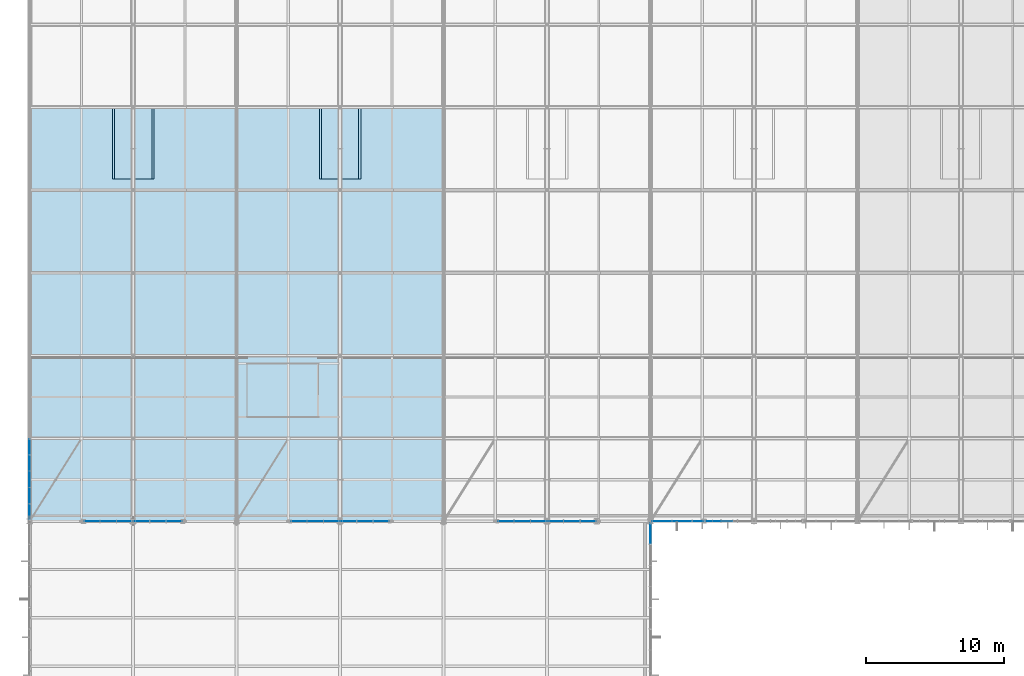
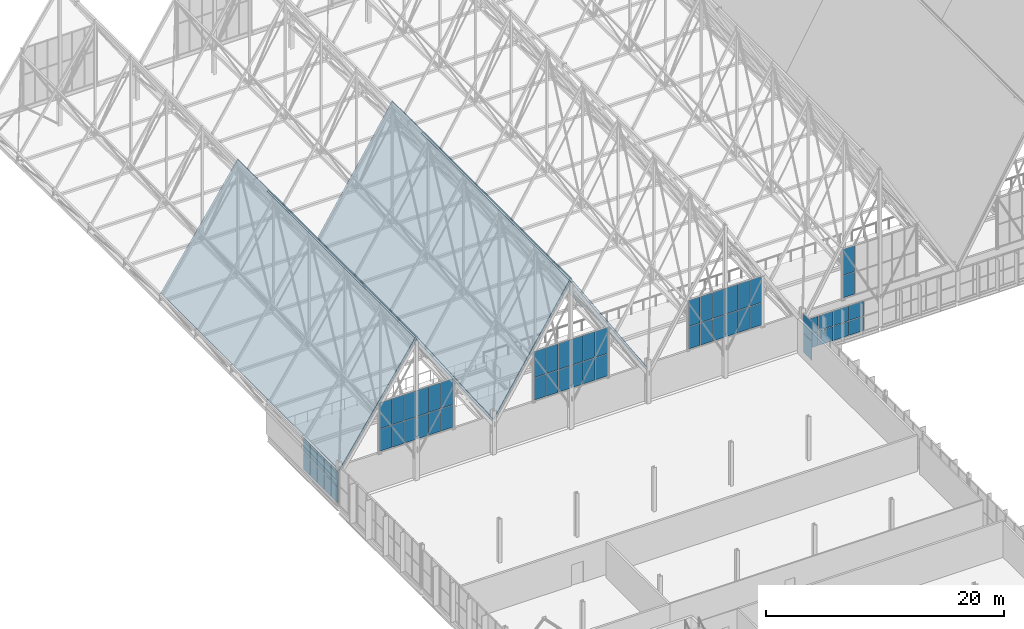
# One storey, part 273 of 324: 62 plates, 4 slabs, 7 elements without a shape of their own.
"""IFC4 building model written with IfcOpenShell, lengths in metres."""

from ifc_helpers import new_model, si_unit, direction, frame, origin, origin_2d, place, context, subcontext, project, spatial, polyline, rectangle, outline, extrude, material, layer, layer_set, type_object, element, aggregate, save


model = new_model("IFC4")

# Units and contexts
model_context = context("Model", 3, precision=1e-05, world=origin(), true_north=direction((0.0, 1.0)))
body_context = subcontext(model_context, "Body", "Model", "MODEL_VIEW")
ifc_project = project(units=[si_unit("LENGTHUNIT", "METRE"), si_unit("AREAUNIT", "SQUARE_METRE"), si_unit("VOLUMEUNIT", "CUBIC_METRE"), si_unit("PLANEANGLEUNIT", "RADIAN"), si_unit("MASSUNIT", "GRAM", prefix="KILO")], contexts=[model_context])

# Site, building, storey
site_placement = place(None, origin())
site = spatial("IfcSite", under=ifc_project, at=site_placement, CompositionType="ELEMENT")
building_placement = place(site_placement, origin())
building = spatial("IfcBuilding", under=site, at=building_placement, Name="Solvenia Promenade Tram Depot", CompositionType="ELEMENT")
storey_placement = place(building_placement, frame((0.0, 0.0, 4.5)))
storey = spatial("IfcBuildingStorey", under=building, at=storey_placement, Name="L01", CompositionType="ELEMENT", Elevation=4.5)

# Curtain wall, plates
ifc_material_1 = material(Name="Anodized aluminium AW-6063 T6", Category="aluminium")
ifc_layer_1 = layer(ifc_material_1, 0.159912109375, Name="Anodized aluminium AW-6063 T6", Category="aluminium")
ifc_layer_set_1 = layer_set([ifc_layer_1], Name="Anodized aluminium AW-6063 T6")
curtain_wall_type_1 = type_object("IfcCurtainWallType", Name="CW-Channel-1500", PredefinedType="NOTDEFINED", material=ifc_layer_set_1)
curtain_wall_1_placement = place(storey_placement, origin())
curtain_wall_1 = element("IfcCurtainWall", 1, at=curtain_wall_1_placement, inside=storey, type_object=curtain_wall_type_1, Name="Curtain Wall CW-V1S1-01", PredefinedType="NOTDEFINED")
ifc_material_2 = material(Name="Low-iron translucent U-profile channel glass", Category="glass")
ifc_layer_2 = layer(ifc_material_2, 0.028076171875, Name="Low-iron translucent U-profile channel glass", Category="glass")
ifc_layer_set_2 = layer_set([ifc_layer_2], Name="Low-iron translucent U-profile channel glass")
plate_type_1 = type_object("IfcPlateType", Name="CWP-Panel-1", PredefinedType="CURTAIN_PANEL", material=ifc_layer_set_2)
plate_1_placement = place(storey_placement, frame((45.826416015625, 66.0, 0.06494140625), z_axis=(0.0, 0.0, 1.0), x_axis=(1.0, 0.0, 0.0)))
plate_1 = element("IfcPlate", 2, at=plate_1_placement, type_object=plate_type_1, Name="CW-2 panel 1.1", PredefinedType="CURTAIN_PANEL", context=body_context, shape_type="SweptSolid", body=[
    extrude(rectangle(XDim=1.39306640625, YDim=0.028076171875, at=origin_2d()), origin(), (0.0, 0.0, 1.0), 1.452392578125),
])
plate_2_placement = place(storey_placement, frame((45.826416015625, 66.0, 1.58251953125), z_axis=(0.0, 0.0, 1.0), x_axis=(1.0, 0.0, 0.0)))
plate_2 = element("IfcPlate", 3, at=plate_2_placement, type_object=plate_type_1, Name="CW-2 panel 1.2", PredefinedType="CURTAIN_PANEL", context=body_context, shape_type="SweptSolid", body=[
    extrude(rectangle(XDim=1.39306640625, YDim=0.028076171875, at=origin_2d()), origin(), (0.0, 0.0, 1.0), 1.50244140625),
])
plate_3_placement = place(storey_placement, frame((47.281982421875, 66.0, 0.06494140625), z_axis=(0.0, 0.0, 1.0), x_axis=(1.0, 0.0, 0.0)))
plate_3 = element("IfcPlate", 4, at=plate_3_placement, type_object=plate_type_1, Name="CW-2 panel 2.1", PredefinedType="CURTAIN_PANEL", context=body_context, shape_type="SweptSolid", body=[
    extrude(rectangle(XDim=1.41796875, YDim=0.028076171875, at=origin_2d()), origin(), (0.0, 0.0, 1.0), 1.452392578125),
])
plate_4_placement = place(storey_placement, frame((47.281982421875, 66.0, 1.58251953125), z_axis=(0.0, 0.0, 1.0), x_axis=(1.0, 0.0, 0.0)))
plate_4 = element("IfcPlate", 5, at=plate_4_placement, type_object=plate_type_1, Name="CW-2 panel 2.2", PredefinedType="CURTAIN_PANEL", context=body_context, shape_type="SweptSolid", body=[
    extrude(rectangle(XDim=1.41796875, YDim=0.028076171875, at=origin_2d()), origin(), (0.0, 0.0, 1.0), 1.50244140625),
])
plate_5_placement = place(storey_placement, frame((48.75, 66.0, 0.06494140625), z_axis=(0.0, 0.0, 1.0), x_axis=(1.0, 0.0, 0.0)))
plate_5 = element("IfcPlate", 6, at=plate_5_placement, type_object=plate_type_1, Name="CW-2 panel 3.1", PredefinedType="CURTAIN_PANEL", context=body_context, shape_type="SweptSolid", body=[
    extrude(rectangle(XDim=1.41796875, YDim=0.028076171875, at=origin_2d()), origin(), (0.0, 0.0, 1.0), 1.452392578125),
])
plate_6_placement = place(storey_placement, frame((48.75, 66.0, 1.58251953125), z_axis=(0.0, 0.0, 1.0), x_axis=(1.0, 0.0, 0.0)))
plate_6 = element("IfcPlate", 7, at=plate_6_placement, type_object=plate_type_1, Name="CW-2 panel 3.2", PredefinedType="CURTAIN_PANEL", context=body_context, shape_type="SweptSolid", body=[
    extrude(rectangle(XDim=1.41796875, YDim=0.028076171875, at=origin_2d()), origin(), (0.0, 0.0, 1.0), 1.50244140625),
])
plate_7_placement = place(storey_placement, frame((50.218017578125, 66.0, 0.06494140625), z_axis=(0.0, 0.0, 1.0), x_axis=(1.0, 0.0, 0.0)))
plate_7 = element("IfcPlate", 8, at=plate_7_placement, type_object=plate_type_1, Name="CW-2 panel 4.1", PredefinedType="CURTAIN_PANEL", context=body_context, shape_type="SweptSolid", body=[
    extrude(rectangle(XDim=1.41796875, YDim=0.028076171875, at=origin_2d()), origin(), (0.0, 0.0, 1.0), 1.452392578125),
])
plate_8_placement = place(storey_placement, frame((50.218017578125, 66.0, 1.58251953125), z_axis=(0.0, 0.0, 1.0), x_axis=(1.0, 0.0, 0.0)))
plate_8 = element("IfcPlate", 9, at=plate_8_placement, type_object=plate_type_1, Name="CW-2 panel 4.2", PredefinedType="CURTAIN_PANEL", context=body_context, shape_type="SweptSolid", body=[
    extrude(rectangle(XDim=1.41796875, YDim=0.028076171875, at=origin_2d()), origin(), (0.0, 0.0, 1.0), 1.50244140625),
])
aggregate(curtain_wall_1, [plate_1, plate_2, plate_3, plate_4, plate_5, plate_6, plate_7, plate_8])

ifc_layer_3 = layer(ifc_material_1, 0.159912109375, Name="Anodized aluminium AW-6063 T6", Category="aluminium")
ifc_layer_set_3 = layer_set([ifc_layer_3], Name="Anodized aluminium AW-6063 T6")
curtain_wall_type_2 = type_object("IfcCurtainWallType", Name="CW-Channel-1200", PredefinedType="NOTDEFINED", material=ifc_layer_set_3)
curtain_wall_2_placement = place(storey_placement, origin())
curtain_wall_2 = element("IfcCurtainWall", 10, at=curtain_wall_2_placement, inside=storey, type_object=curtain_wall_type_2, Name="Curtain Wall CW-V1W-01", PredefinedType="NOTDEFINED")
plate_9_placement = place(storey_placement, frame((0.0, 66.68505859375, 0.06005859375), z_axis=(0.0, 0.0, 1.0), x_axis=(0.0, 1.0, 0.0)))
plate_9 = element("IfcPlate", 11, at=plate_9_placement, type_object=plate_type_1, Name="CW-1 panel 1.1", PredefinedType="CURTAIN_PANEL", context=body_context, shape_type="SweptSolid", body=[
    extrude(rectangle(XDim=1.10595703125, YDim=0.028076171875, at=origin_2d()), origin(), (0.0, 0.0, 1.0), 1.610107421875),
])
plate_10_placement = place(storey_placement, frame((0.0, 66.68505859375, 1.72998046875), z_axis=(0.0, 0.0, 1.0), x_axis=(0.0, 1.0, 0.0)))
plate_10 = element("IfcPlate", 12, at=plate_10_placement, type_object=plate_type_1, Name="CW-1 panel 1.2", PredefinedType="CURTAIN_PANEL", context=body_context, shape_type="SweptSolid", body=[
    extrude(rectangle(XDim=1.10595703125, YDim=0.028076171875, at=origin_2d()), origin(), (0.0, 0.0, 1.0), 1.610107421875),
])
plate_11_placement = place(storey_placement, frame((0.0, 67.85595703125, 0.06005859375), z_axis=(0.0, 0.0, 1.0), x_axis=(0.0, 1.0, 0.0)))
plate_11 = element("IfcPlate", 13, at=plate_11_placement, type_object=plate_type_1, Name="CW-1 panel 2.1", PredefinedType="CURTAIN_PANEL", context=body_context, shape_type="SweptSolid", body=[
    extrude(rectangle(XDim=1.132080078125, YDim=0.028076171875, at=origin_2d()), origin(), (0.0, 0.0, 1.0), 1.610107421875),
])
plate_12_placement = place(storey_placement, frame((0.0, 67.85595703125, 1.72998046875), z_axis=(0.0, 0.0, 1.0), x_axis=(0.0, 1.0, 0.0)))
plate_12 = element("IfcPlate", 14, at=plate_12_placement, type_object=plate_type_1, Name="CW-1 panel 2.2", PredefinedType="CURTAIN_PANEL", context=body_context, shape_type="SweptSolid", body=[
    extrude(rectangle(XDim=1.132080078125, YDim=0.028076171875, at=origin_2d()), origin(), (0.0, 0.0, 1.0), 1.610107421875),
])
plate_13_placement = place(storey_placement, frame((0.0, 69.0400390625, 0.06005859375), z_axis=(0.0, 0.0, 1.0), x_axis=(0.0, 1.0, 0.0)))
plate_13 = element("IfcPlate", 15, at=plate_13_placement, type_object=plate_type_1, Name="CW-1 panel 3.1", PredefinedType="CURTAIN_PANEL", context=body_context, shape_type="SweptSolid", body=[
    extrude(rectangle(XDim=1.132080078125, YDim=0.028076171875, at=origin_2d()), origin(), (0.0, 0.0, 1.0), 1.610107421875),
])
plate_14_placement = place(storey_placement, frame((0.0, 69.0400390625, 1.72998046875), z_axis=(0.0, 0.0, 1.0), x_axis=(0.0, 1.0, 0.0)))
plate_14 = element("IfcPlate", 16, at=plate_14_placement, type_object=plate_type_1, Name="CW-1 panel 3.2", PredefinedType="CURTAIN_PANEL", context=body_context, shape_type="SweptSolid", body=[
    extrude(rectangle(XDim=1.132080078125, YDim=0.028076171875, at=origin_2d()), origin(), (0.0, 0.0, 1.0), 1.610107421875),
])
plate_15_placement = place(storey_placement, frame((0.0, 70.22412109375, 0.06005859375), z_axis=(0.0, 0.0, 1.0), x_axis=(0.0, 1.0, 0.0)))
plate_15 = element("IfcPlate", 17, at=plate_15_placement, type_object=plate_type_1, Name="CW-1 panel 4.1", PredefinedType="CURTAIN_PANEL", context=body_context, shape_type="SweptSolid", body=[
    extrude(rectangle(XDim=1.132080078125, YDim=0.028076171875, at=origin_2d()), origin(), (0.0, 0.0, 1.0), 1.610107421875),
])
plate_16_placement = place(storey_placement, frame((0.0, 70.22412109375, 1.72998046875), z_axis=(0.0, 0.0, 1.0), x_axis=(0.0, 1.0, 0.0)))
plate_16 = element("IfcPlate", 18, at=plate_16_placement, type_object=plate_type_1, Name="CW-1 panel 4.2", PredefinedType="CURTAIN_PANEL", context=body_context, shape_type="SweptSolid", body=[
    extrude(rectangle(XDim=1.132080078125, YDim=0.028076171875, at=origin_2d()), origin(), (0.0, 0.0, 1.0), 1.610107421875),
])
plate_17_placement = place(storey_placement, frame((0.0, 71.39501953125, 0.06005859375), z_axis=(0.0, 0.0, 1.0), x_axis=(0.0, 1.0, 0.0)))
plate_17 = element("IfcPlate", 19, at=plate_17_placement, type_object=plate_type_1, Name="CW-1 panel 5.1", PredefinedType="CURTAIN_PANEL", context=body_context, shape_type="SweptSolid", body=[
    extrude(rectangle(XDim=1.10595703125, YDim=0.028076171875, at=origin_2d()), origin(), (0.0, 0.0, 1.0), 1.610107421875),
])
plate_18_placement = place(storey_placement, frame((0.0, 71.39501953125, 1.72998046875), z_axis=(0.0, 0.0, 1.0), x_axis=(0.0, 1.0, 0.0)))
plate_18 = element("IfcPlate", 20, at=plate_18_placement, type_object=plate_type_1, Name="CW-1 panel 5.2", PredefinedType="CURTAIN_PANEL", context=body_context, shape_type="SweptSolid", body=[
    extrude(rectangle(XDim=1.10595703125, YDim=0.028076171875, at=origin_2d()), origin(), (0.0, 0.0, 1.0), 1.610107421875),
])
aggregate(curtain_wall_2, [plate_9, plate_10, plate_11, plate_12, plate_13, plate_14, plate_15, plate_16, plate_17, plate_18])

ifc_layer_4 = layer(ifc_material_1, 0.14990234375, Name="Anodized aluminium AW-6063 T6", Category="aluminium")
ifc_layer_set_4 = layer_set([ifc_layer_4], Name="Anodized aluminium AW-6063 T6")
curtain_wall_type_3 = type_object("IfcCurtainWallType", Name="CW-Gable-1200", PredefinedType="NOTDEFINED", material=ifc_layer_set_4)
curtain_wall_3_placement = place(storey_placement, origin())
curtain_wall_3 = element("IfcCurtainWall", 21, at=curtain_wall_3_placement, inside=storey, type_object=curtain_wall_type_3, Name="South Zigzag Gable 01 Peak Glazing", PredefinedType="NOTDEFINED")
plate_19_placement = place(storey_placement, frame((4.511962890625, 66.0, 4.10791015625), z_axis=(0.0, 0.0, 1.0), x_axis=(1.0, 0.0, 0.0)))
plate_19 = element("IfcPlate", 22, at=plate_19_placement, type_object=plate_type_1, Name="CW-3 panel 1.1", PredefinedType="CURTAIN_PANEL", context=body_context, shape_type="SweptSolid", body=[
    extrude(rectangle(XDim=1.1279296875, YDim=0.028076171875, at=origin_2d()), origin(), (0.0, 0.0, 1.0), 2.262939453125),
])
plate_20_placement = place(storey_placement, frame((4.511962890625, 66.0, 6.428955078125), z_axis=(0.0, 0.0, 1.0), x_axis=(1.0, 0.0, 0.0)))
plate_20 = element("IfcPlate", 23, at=plate_20_placement, type_object=plate_type_1, Name="CW-3 panel 1.2", PredefinedType="CURTAIN_PANEL", context=body_context, shape_type="SweptSolid", body=[
    extrude(rectangle(XDim=1.1279296875, YDim=0.028076171875, at=origin_2d()), origin(), (0.0, 0.0, 1.0), 2.6630859375),
])
plate_21_placement = place(storey_placement, frame((5.699951171875, 66.0, 4.10791015625), z_axis=(0.0, 0.0, 1.0), x_axis=(1.0, 0.0, 0.0)))
plate_21 = element("IfcPlate", 24, at=plate_21_placement, type_object=plate_type_1, Name="CW-3 panel 2.1", PredefinedType="CURTAIN_PANEL", context=body_context, shape_type="SweptSolid", body=[
    extrude(rectangle(XDim=1.152099609375, YDim=0.028076171875, at=origin_2d()), origin(), (0.0, 0.0, 1.0), 2.262939453125),
])
plate_22_placement = place(storey_placement, frame((5.699951171875, 66.0, 6.428955078125), z_axis=(0.0, 0.0, 1.0), x_axis=(1.0, 0.0, 0.0)))
plate_22 = element("IfcPlate", 25, at=plate_22_placement, type_object=plate_type_1, Name="CW-3 panel 2.2", PredefinedType="CURTAIN_PANEL", context=body_context, shape_type="SweptSolid", body=[
    extrude(rectangle(XDim=1.152099609375, YDim=0.028076171875, at=origin_2d()), origin(), (0.0, 0.0, 1.0), 2.6630859375),
])
plate_23_placement = place(storey_placement, frame((6.89990234375, 66.0, 4.10791015625), z_axis=(0.0, 0.0, 1.0), x_axis=(1.0, 0.0, 0.0)))
plate_23 = element("IfcPlate", 26, at=plate_23_placement, type_object=plate_type_1, Name="CW-3 panel 3.1", PredefinedType="CURTAIN_PANEL", context=body_context, shape_type="SweptSolid", body=[
    extrude(rectangle(XDim=1.152099609375, YDim=0.028076171875, at=origin_2d()), origin(), (0.0, 0.0, 1.0), 2.262939453125),
])
plate_24_placement = place(storey_placement, frame((6.89990234375, 66.0, 6.428955078125), z_axis=(0.0, 0.0, 1.0), x_axis=(1.0, 0.0, 0.0)))
plate_24 = element("IfcPlate", 27, at=plate_24_placement, type_object=plate_type_1, Name="CW-3 panel 3.2", PredefinedType="CURTAIN_PANEL", context=body_context, shape_type="SweptSolid", body=[
    extrude(rectangle(XDim=1.152099609375, YDim=0.028076171875, at=origin_2d()), origin(), (0.0, 0.0, 1.0), 2.6630859375),
])
plate_25_placement = place(storey_placement, frame((8.10009765625, 66.0, 4.10791015625), z_axis=(0.0, 0.0, 1.0), x_axis=(1.0, 0.0, 0.0)))
plate_25 = element("IfcPlate", 28, at=plate_25_placement, type_object=plate_type_1, Name="CW-3 panel 4.1", PredefinedType="CURTAIN_PANEL", context=body_context, shape_type="SweptSolid", body=[
    extrude(rectangle(XDim=1.152099609375, YDim=0.028076171875, at=origin_2d()), origin(), (0.0, 0.0, 1.0), 2.262939453125),
])
plate_26_placement = place(storey_placement, frame((8.10009765625, 66.0, 6.428955078125), z_axis=(0.0, 0.0, 1.0), x_axis=(1.0, 0.0, 0.0)))
plate_26 = element("IfcPlate", 29, at=plate_26_placement, type_object=plate_type_1, Name="CW-3 panel 4.2", PredefinedType="CURTAIN_PANEL", context=body_context, shape_type="SweptSolid", body=[
    extrude(rectangle(XDim=1.152099609375, YDim=0.028076171875, at=origin_2d()), origin(), (0.0, 0.0, 1.0), 2.6630859375),
])
plate_27_placement = place(storey_placement, frame((9.300048828125, 66.0, 4.10791015625), z_axis=(0.0, 0.0, 1.0), x_axis=(1.0, 0.0, 0.0)))
plate_27 = element("IfcPlate", 30, at=plate_27_placement, type_object=plate_type_1, Name="CW-3 panel 5.1", PredefinedType="CURTAIN_PANEL", context=body_context, shape_type="SweptSolid", body=[
    extrude(rectangle(XDim=1.152099609375, YDim=0.028076171875, at=origin_2d()), origin(), (0.0, 0.0, 1.0), 2.262939453125),
])
plate_28_placement = place(storey_placement, frame((9.300048828125, 66.0, 6.428955078125), z_axis=(0.0, 0.0, 1.0), x_axis=(1.0, 0.0, 0.0)))
plate_28 = element("IfcPlate", 31, at=plate_28_placement, type_object=plate_type_1, Name="CW-3 panel 5.2", PredefinedType="CURTAIN_PANEL", context=body_context, shape_type="SweptSolid", body=[
    extrude(rectangle(XDim=1.152099609375, YDim=0.028076171875, at=origin_2d()), origin(), (0.0, 0.0, 1.0), 2.6630859375),
])
plate_29_placement = place(storey_placement, frame((10.488037109375, 66.0, 4.10791015625), z_axis=(0.0, 0.0, 1.0), x_axis=(1.0, 0.0, 0.0)))
plate_29 = element("IfcPlate", 32, at=plate_29_placement, type_object=plate_type_1, Name="CW-3 panel 6.1", PredefinedType="CURTAIN_PANEL", context=body_context, shape_type="SweptSolid", body=[
    extrude(rectangle(XDim=1.1279296875, YDim=0.028076171875, at=origin_2d()), origin(), (0.0, 0.0, 1.0), 2.262939453125),
])
plate_30_placement = place(storey_placement, frame((10.488037109375, 66.0, 6.428955078125), z_axis=(0.0, 0.0, 1.0), x_axis=(1.0, 0.0, 0.0)))
plate_30 = element("IfcPlate", 33, at=plate_30_placement, type_object=plate_type_1, Name="CW-3 panel 6.2", PredefinedType="CURTAIN_PANEL", context=body_context, shape_type="SweptSolid", body=[
    extrude(rectangle(XDim=1.1279296875, YDim=0.028076171875, at=origin_2d()), origin(), (0.0, 0.0, 1.0), 2.6630859375),
])
aggregate(curtain_wall_3, [plate_19, plate_20, plate_21, plate_22, plate_23, plate_24, plate_25, plate_26, plate_27, plate_28, plate_29, plate_30])

curtain_wall_4_placement = place(storey_placement, origin())
curtain_wall_4 = element("IfcCurtainWall", 34, at=curtain_wall_4_placement, inside=storey, type_object=curtain_wall_type_3, Name="South Zigzag Gable 02 Peak Glazing", PredefinedType="NOTDEFINED")
plate_31_placement = place(storey_placement, frame((19.511962890625, 66.0, 4.10791015625), z_axis=(0.0, 0.0, 1.0), x_axis=(1.0, 0.0, 0.0)))
plate_31 = element("IfcPlate", 35, at=plate_31_placement, type_object=plate_type_1, Name="CW-3 panel 1.1", PredefinedType="CURTAIN_PANEL", context=body_context, shape_type="SweptSolid", body=[
    extrude(rectangle(XDim=1.1279296875, YDim=0.028076171875, at=origin_2d()), origin(), (0.0, 0.0, 1.0), 2.262939453125),
])
plate_32_placement = place(storey_placement, frame((19.511962890625, 66.0, 6.428955078125), z_axis=(0.0, 0.0, 1.0), x_axis=(1.0, 0.0, 0.0)))
plate_32 = element("IfcPlate", 36, at=plate_32_placement, type_object=plate_type_1, Name="CW-3 panel 1.2", PredefinedType="CURTAIN_PANEL", context=body_context, shape_type="SweptSolid", body=[
    extrude(rectangle(XDim=1.1279296875, YDim=0.028076171875, at=origin_2d()), origin(), (0.0, 0.0, 1.0), 2.6630859375),
])
plate_33_placement = place(storey_placement, frame((20.699951171875, 66.0, 4.10791015625), z_axis=(0.0, 0.0, 1.0), x_axis=(1.0, 0.0, 0.0)))
plate_33 = element("IfcPlate", 37, at=plate_33_placement, type_object=plate_type_1, Name="CW-3 panel 2.1", PredefinedType="CURTAIN_PANEL", context=body_context, shape_type="SweptSolid", body=[
    extrude(rectangle(XDim=1.152099609375, YDim=0.028076171875, at=origin_2d()), origin(), (0.0, 0.0, 1.0), 2.262939453125),
])
plate_34_placement = place(storey_placement, frame((20.699951171875, 66.0, 6.428955078125), z_axis=(0.0, 0.0, 1.0), x_axis=(1.0, 0.0, 0.0)))
plate_34 = element("IfcPlate", 38, at=plate_34_placement, type_object=plate_type_1, Name="CW-3 panel 2.2", PredefinedType="CURTAIN_PANEL", context=body_context, shape_type="SweptSolid", body=[
    extrude(rectangle(XDim=1.152099609375, YDim=0.028076171875, at=origin_2d()), origin(), (0.0, 0.0, 1.0), 2.6630859375),
])
plate_35_placement = place(storey_placement, frame((21.89990234375, 66.0, 4.10791015625), z_axis=(0.0, 0.0, 1.0), x_axis=(1.0, 0.0, 0.0)))
plate_35 = element("IfcPlate", 39, at=plate_35_placement, type_object=plate_type_1, Name="CW-3 panel 3.1", PredefinedType="CURTAIN_PANEL", context=body_context, shape_type="SweptSolid", body=[
    extrude(rectangle(XDim=1.152099609375, YDim=0.028076171875, at=origin_2d()), origin(), (0.0, 0.0, 1.0), 2.262939453125),
])
plate_36_placement = place(storey_placement, frame((21.89990234375, 66.0, 6.428955078125), z_axis=(0.0, 0.0, 1.0), x_axis=(1.0, 0.0, 0.0)))
plate_36 = element("IfcPlate", 40, at=plate_36_placement, type_object=plate_type_1, Name="CW-3 panel 3.2", PredefinedType="CURTAIN_PANEL", context=body_context, shape_type="SweptSolid", body=[
    extrude(rectangle(XDim=1.152099609375, YDim=0.028076171875, at=origin_2d()), origin(), (0.0, 0.0, 1.0), 2.6630859375),
])
plate_37_placement = place(storey_placement, frame((23.10009765625, 66.0, 4.10791015625), z_axis=(0.0, 0.0, 1.0), x_axis=(1.0, 0.0, 0.0)))
plate_37 = element("IfcPlate", 41, at=plate_37_placement, type_object=plate_type_1, Name="CW-3 panel 4.1", PredefinedType="CURTAIN_PANEL", context=body_context, shape_type="SweptSolid", body=[
    extrude(rectangle(XDim=1.152099609375, YDim=0.028076171875, at=origin_2d()), origin(), (0.0, 0.0, 1.0), 2.262939453125),
])
plate_38_placement = place(storey_placement, frame((23.10009765625, 66.0, 6.428955078125), z_axis=(0.0, 0.0, 1.0), x_axis=(1.0, 0.0, 0.0)))
plate_38 = element("IfcPlate", 42, at=plate_38_placement, type_object=plate_type_1, Name="CW-3 panel 4.2", PredefinedType="CURTAIN_PANEL", context=body_context, shape_type="SweptSolid", body=[
    extrude(rectangle(XDim=1.152099609375, YDim=0.028076171875, at=origin_2d()), origin(), (0.0, 0.0, 1.0), 2.6630859375),
])
plate_39_placement = place(storey_placement, frame((24.300048828125, 66.0, 4.10791015625), z_axis=(0.0, 0.0, 1.0), x_axis=(1.0, 0.0, 0.0)))
plate_39 = element("IfcPlate", 43, at=plate_39_placement, type_object=plate_type_1, Name="CW-3 panel 5.1", PredefinedType="CURTAIN_PANEL", context=body_context, shape_type="SweptSolid", body=[
    extrude(rectangle(XDim=1.152099609375, YDim=0.028076171875, at=origin_2d()), origin(), (0.0, 0.0, 1.0), 2.262939453125),
])
plate_40_placement = place(storey_placement, frame((24.300048828125, 66.0, 6.428955078125), z_axis=(0.0, 0.0, 1.0), x_axis=(1.0, 0.0, 0.0)))
plate_40 = element("IfcPlate", 44, at=plate_40_placement, type_object=plate_type_1, Name="CW-3 panel 5.2", PredefinedType="CURTAIN_PANEL", context=body_context, shape_type="SweptSolid", body=[
    extrude(rectangle(XDim=1.152099609375, YDim=0.028076171875, at=origin_2d()), origin(), (0.0, 0.0, 1.0), 2.6630859375),
])
plate_41_placement = place(storey_placement, frame((25.488037109375, 66.0, 4.10791015625), z_axis=(0.0, 0.0, 1.0), x_axis=(1.0, 0.0, 0.0)))
plate_41 = element("IfcPlate", 45, at=plate_41_placement, type_object=plate_type_1, Name="CW-3 panel 6.1", PredefinedType="CURTAIN_PANEL", context=body_context, shape_type="SweptSolid", body=[
    extrude(rectangle(XDim=1.1279296875, YDim=0.028076171875, at=origin_2d()), origin(), (0.0, 0.0, 1.0), 2.262939453125),
])
plate_42_placement = place(storey_placement, frame((25.488037109375, 66.0, 6.428955078125), z_axis=(0.0, 0.0, 1.0), x_axis=(1.0, 0.0, 0.0)))
plate_42 = element("IfcPlate", 46, at=plate_42_placement, type_object=plate_type_1, Name="CW-3 panel 6.2", PredefinedType="CURTAIN_PANEL", context=body_context, shape_type="SweptSolid", body=[
    extrude(rectangle(XDim=1.1279296875, YDim=0.028076171875, at=origin_2d()), origin(), (0.0, 0.0, 1.0), 2.6630859375),
])
aggregate(curtain_wall_4, [plate_31, plate_32, plate_33, plate_34, plate_35, plate_36, plate_37, plate_38, plate_39, plate_40, plate_41, plate_42])

curtain_wall_5_placement = place(storey_placement, origin())
curtain_wall_5 = element("IfcCurtainWall", 47, at=curtain_wall_5_placement, inside=storey, type_object=curtain_wall_type_3, Name="South Zigzag Gable 03 Peak Glazing", PredefinedType="NOTDEFINED")
plate_43_placement = place(storey_placement, frame((34.511962890625, 66.0, 4.10791015625), z_axis=(0.0, 0.0, 1.0), x_axis=(1.0, 0.0, 0.0)))
plate_43 = element("IfcPlate", 48, at=plate_43_placement, type_object=plate_type_1, Name="CW-3 panel 1.1", PredefinedType="CURTAIN_PANEL", context=body_context, shape_type="SweptSolid", body=[
    extrude(rectangle(XDim=1.1279296875, YDim=0.028076171875, at=origin_2d()), origin(), (0.0, 0.0, 1.0), 2.262939453125),
])
plate_44_placement = place(storey_placement, frame((34.511962890625, 66.0, 6.428955078125), z_axis=(0.0, 0.0, 1.0), x_axis=(1.0, 0.0, 0.0)))
plate_44 = element("IfcPlate", 49, at=plate_44_placement, type_object=plate_type_1, Name="CW-3 panel 1.2", PredefinedType="CURTAIN_PANEL", context=body_context, shape_type="SweptSolid", body=[
    extrude(rectangle(XDim=1.1279296875, YDim=0.028076171875, at=origin_2d()), origin(), (0.0, 0.0, 1.0), 2.6630859375),
])
plate_45_placement = place(storey_placement, frame((35.699951171875, 66.0, 4.10791015625), z_axis=(0.0, 0.0, 1.0), x_axis=(1.0, 0.0, 0.0)))
plate_45 = element("IfcPlate", 50, at=plate_45_placement, type_object=plate_type_1, Name="CW-3 panel 2.1", PredefinedType="CURTAIN_PANEL", context=body_context, shape_type="SweptSolid", body=[
    extrude(rectangle(XDim=1.152099609375, YDim=0.028076171875, at=origin_2d()), origin(), (0.0, 0.0, 1.0), 2.262939453125),
])
plate_46_placement = place(storey_placement, frame((35.699951171875, 66.0, 6.428955078125), z_axis=(0.0, 0.0, 1.0), x_axis=(1.0, 0.0, 0.0)))
plate_46 = element("IfcPlate", 51, at=plate_46_placement, type_object=plate_type_1, Name="CW-3 panel 2.2", PredefinedType="CURTAIN_PANEL", context=body_context, shape_type="SweptSolid", body=[
    extrude(rectangle(XDim=1.152099609375, YDim=0.028076171875, at=origin_2d()), origin(), (0.0, 0.0, 1.0), 2.6630859375),
])
plate_47_placement = place(storey_placement, frame((36.89990234375, 66.0, 4.10791015625), z_axis=(0.0, 0.0, 1.0), x_axis=(1.0, 0.0, 0.0)))
plate_47 = element("IfcPlate", 52, at=plate_47_placement, type_object=plate_type_1, Name="CW-3 panel 3.1", PredefinedType="CURTAIN_PANEL", context=body_context, shape_type="SweptSolid", body=[
    extrude(rectangle(XDim=1.152099609375, YDim=0.028076171875, at=origin_2d()), origin(), (0.0, 0.0, 1.0), 2.262939453125),
])
plate_48_placement = place(storey_placement, frame((36.89990234375, 66.0, 6.428955078125), z_axis=(0.0, 0.0, 1.0), x_axis=(1.0, 0.0, 0.0)))
plate_48 = element("IfcPlate", 53, at=plate_48_placement, type_object=plate_type_1, Name="CW-3 panel 3.2", PredefinedType="CURTAIN_PANEL", context=body_context, shape_type="SweptSolid", body=[
    extrude(rectangle(XDim=1.152099609375, YDim=0.028076171875, at=origin_2d()), origin(), (0.0, 0.0, 1.0), 2.6630859375),
])
plate_49_placement = place(storey_placement, frame((38.10009765625, 66.0, 4.10791015625), z_axis=(0.0, 0.0, 1.0), x_axis=(1.0, 0.0, 0.0)))
plate_49 = element("IfcPlate", 54, at=plate_49_placement, type_object=plate_type_1, Name="CW-3 panel 4.1", PredefinedType="CURTAIN_PANEL", context=body_context, shape_type="SweptSolid", body=[
    extrude(rectangle(XDim=1.152099609375, YDim=0.028076171875, at=origin_2d()), origin(), (0.0, 0.0, 1.0), 2.262939453125),
])
plate_50_placement = place(storey_placement, frame((38.10009765625, 66.0, 6.428955078125), z_axis=(0.0, 0.0, 1.0), x_axis=(1.0, 0.0, 0.0)))
plate_50 = element("IfcPlate", 55, at=plate_50_placement, type_object=plate_type_1, Name="CW-3 panel 4.2", PredefinedType="CURTAIN_PANEL", context=body_context, shape_type="SweptSolid", body=[
    extrude(rectangle(XDim=1.152099609375, YDim=0.028076171875, at=origin_2d()), origin(), (0.0, 0.0, 1.0), 2.6630859375),
])
plate_51_placement = place(storey_placement, frame((39.300048828125, 66.0, 4.10791015625), z_axis=(0.0, 0.0, 1.0), x_axis=(1.0, 0.0, 0.0)))
plate_51 = element("IfcPlate", 56, at=plate_51_placement, type_object=plate_type_1, Name="CW-3 panel 5.1", PredefinedType="CURTAIN_PANEL", context=body_context, shape_type="SweptSolid", body=[
    extrude(rectangle(XDim=1.152099609375, YDim=0.028076171875, at=origin_2d()), origin(), (0.0, 0.0, 1.0), 2.262939453125),
])
plate_52_placement = place(storey_placement, frame((39.300048828125, 66.0, 6.428955078125), z_axis=(0.0, 0.0, 1.0), x_axis=(1.0, 0.0, 0.0)))
plate_52 = element("IfcPlate", 57, at=plate_52_placement, type_object=plate_type_1, Name="CW-3 panel 5.2", PredefinedType="CURTAIN_PANEL", context=body_context, shape_type="SweptSolid", body=[
    extrude(rectangle(XDim=1.152099609375, YDim=0.028076171875, at=origin_2d()), origin(), (0.0, 0.0, 1.0), 2.6630859375),
])
plate_53_placement = place(storey_placement, frame((40.488037109375, 66.0, 4.10791015625), z_axis=(0.0, 0.0, 1.0), x_axis=(1.0, 0.0, 0.0)))
plate_53 = element("IfcPlate", 58, at=plate_53_placement, type_object=plate_type_1, Name="CW-3 panel 6.1", PredefinedType="CURTAIN_PANEL", context=body_context, shape_type="SweptSolid", body=[
    extrude(rectangle(XDim=1.1279296875, YDim=0.028076171875, at=origin_2d()), origin(), (0.0, 0.0, 1.0), 2.262939453125),
])
plate_54_placement = place(storey_placement, frame((40.488037109375, 66.0, 6.428955078125), z_axis=(0.0, 0.0, 1.0), x_axis=(1.0, 0.0, 0.0)))
plate_54 = element("IfcPlate", 59, at=plate_54_placement, type_object=plate_type_1, Name="CW-3 panel 6.2", PredefinedType="CURTAIN_PANEL", context=body_context, shape_type="SweptSolid", body=[
    extrude(rectangle(XDim=1.1279296875, YDim=0.028076171875, at=origin_2d()), origin(), (0.0, 0.0, 1.0), 2.6630859375),
])
aggregate(curtain_wall_5, [plate_43, plate_44, plate_45, plate_46, plate_47, plate_48, plate_49, plate_50, plate_51, plate_52, plate_53, plate_54])

curtain_wall_6_placement = place(storey_placement, origin())
curtain_wall_6 = element("IfcCurtainWall", 60, at=curtain_wall_6_placement, inside=storey, type_object=curtain_wall_type_3, Name="South Zigzag Gable 04 Peak Glazing", PredefinedType="NOTDEFINED")
plate_55_placement = place(storey_placement, frame((49.511962890625, 66.0, 4.10791015625), z_axis=(0.0, 0.0, 1.0), x_axis=(1.0, 0.0, 0.0)))
plate_55 = element("IfcPlate", 61, at=plate_55_placement, type_object=plate_type_1, Name="CW-3 panel 1.1", PredefinedType="CURTAIN_PANEL", context=body_context, shape_type="SweptSolid", body=[
    extrude(rectangle(XDim=1.1279296875, YDim=0.028076171875, at=origin_2d()), origin(), (0.0, 0.0, 1.0), 2.262939453125),
])
plate_56_placement = place(storey_placement, frame((49.511962890625, 66.0, 6.428955078125), z_axis=(0.0, 0.0, 1.0), x_axis=(1.0, 0.0, 0.0)))
plate_56 = element("IfcPlate", 62, at=plate_56_placement, type_object=plate_type_1, Name="CW-3 panel 1.2", PredefinedType="CURTAIN_PANEL", context=body_context, shape_type="SweptSolid", body=[
    extrude(rectangle(XDim=1.1279296875, YDim=0.028076171875, at=origin_2d()), origin(), (0.0, 0.0, 1.0), 2.6630859375),
])
aggregate(curtain_wall_6, [plate_55, plate_56])

ifc_layer_5 = layer(ifc_material_1, 0.1201171875, Name="Anodized aluminium AW-6063 T6", Category="aluminium")
ifc_layer_set_5 = layer_set([ifc_layer_5], Name="Anodized aluminium AW-6063 T6")
curtain_wall_type_4 = type_object("IfcCurtainWallType", Name="CW-Wash-1500", PredefinedType="NOTDEFINED", material=ifc_layer_set_5)
curtain_wall_7_placement = place(storey_placement, origin())
curtain_wall_7 = element("IfcCurtainWall", 63, at=curtain_wall_7_placement, inside=storey, type_object=curtain_wall_type_4, Name="Curtain Wall CW-V3-E-L1-3", PredefinedType="NOTDEFINED")
plate_57_placement = place(storey_placement, frame((45.0, 65.08154296875, 0.06005859375), z_axis=(0.0, 0.0, 1.0), x_axis=(0.0, 1.0, 0.0)))
plate_57 = element("IfcPlate", 64, at=plate_57_placement, type_object=plate_type_1, Name="CW-10 panel 9.1", PredefinedType="CURTAIN_PANEL", context=body_context, shape_type="SweptSolid", body=[
    extrude(rectangle(XDim=1.453125, YDim=0.028076171875, at=origin_2d()), origin(), (0.0, 0.0, 1.0), 1.909912109375),
])
plate_58_placement = place(storey_placement, frame((45.0, 65.08154296875, 2.030029296875), z_axis=(0.0, 0.0, 1.0), x_axis=(0.0, 1.0, 0.0)))
plate_58 = element("IfcPlate", 65, at=plate_58_placement, type_object=plate_type_1, Name="CW-10 panel 9.2", PredefinedType="CURTAIN_PANEL", context=body_context, shape_type="SweptSolid", body=[
    extrude(rectangle(XDim=1.453125, YDim=0.028076171875, at=origin_2d()), origin(), (0.0, 0.0, 1.0), 1.9599609375),
])
aggregate(curtain_wall_7, [plate_57, plate_58])

# Plates
ifc_material_3 = material(Name="Translucent multi-wall insulated polycarbonate cassette", Category="other")
ifc_layer_6 = layer(ifc_material_3, 0.0419921875, Name="Translucent multi-wall insulated polycarbonate cassette", Category="other")
ifc_layer_set_6 = layer_set([ifc_layer_6], Name="Translucent multi-wall insulated polycarbonate cassette")
plate_type_2 = type_object("IfcPlateType", Name="DaylightCassette-1", PredefinedType="SHEET", material=ifc_layer_set_6)
for number, where, z_axis, x_axis, name in (
    (66, (0.0, 66.0, 3.5419921875), (-0.830332770175, 0.0, 0.557267880623), (0.0, 1.0, 0.0), "Insulated Daylight Gable 01 West Skylight Cladding 1"),
    (67, (7.5, 66.0, 14.717041015625), (0.830332770175, 0.0, 0.557267880623), (0.0, 1.0, 0.0), "Insulated Daylight Gable 01 East Skylight Cladding 1"),
):
    element("IfcPlate", number, at=place(storey_placement, frame(where, z_axis=z_axis, x_axis=x_axis)), inside=storey, type_object=plate_type_2, Name=name, PredefinedType="SHEET", context=body_context, shape_type="SweptSolid", body=[
        extrude(outline(polyline([(0.0, 0.0), (30.0, 0.0), (30.0, -13.45851835496679), (0.0, -13.45851835496679), (0.0, 0.0)])), origin(), (0.0, 0.0, -1.0), 0.0419921875),
    ])
for number, where, z_axis, x_axis, name in (
    (68, (15.0, 66.0, 3.5419921875), (-0.845790850581, 0.0, 0.533514608116), (0.0, 1.0, 0.0), "Insulated Daylight Gable 02 West Skylight Cladding 1"),
    (69, (22.5, 66.0, 15.431884765625), (0.845790850581, 0.0, 0.533514608116), (0.0, 1.0, 0.0), "Insulated Daylight Gable 02 East Skylight Cladding 1"),
):
    element("IfcPlate", number, at=place(storey_placement, frame(where, z_axis=z_axis, x_axis=x_axis)), inside=storey, type_object=plate_type_2, Name=name, PredefinedType="SHEET", context=body_context, shape_type="SweptSolid", body=[
        extrude(outline(polyline([(0.0, 0.0), (30.0, 0.0), (30.0, -14.057721917841167), (0.0, -14.057721917841167), (0.0, 0.0)])), origin(), (0.0, 0.0, -1.0), 0.0419921875),
    ])

# Slabs
ifc_material_4 = material(Name="Concrete C28/35", Category="concrete")
ifc_layer_7 = layer(ifc_material_4, 0.179931640625, Name="Concrete C28/35", Category="concrete")
ifc_layer_set_7 = layer_set([ifc_layer_7], Name="Concrete C28/35")
slab_type = type_object("IfcSlabType", Name="Slab-Valley-180", PredefinedType="ROOF", material=ifc_layer_set_7)
slab_1_placement = place(storey_placement, frame((0.0, 66.0, 3.5), z_axis=(-0.830332365568, 9.39584e-07, 0.557268483488), x_axis=(7.80167e-07, 1.0, -5.23601e-07)))
element("IfcSlab", 70, at=slab_1_placement, inside=storey, type_object=slab_type, Name="Zigzag Gable 01 West Roof Deck 1", PredefinedType="ROOF", context=body_context, shape_type="SweptSolid", body=[
    extrude(outline(polyline([(0.0, 0.0), (29.99999999998676, 0.0), (30.00000000003055, -10.76673359682552), (24.800048828157845, -10.76673359682552), (24.800048828104874, -13.458518354963243), (-9.181230967413847e-12, -13.458518354963243), (0.0, 0.0)])), origin(), (0.0, 0.0, -1.0), 0.179931640625),
])
slab_2_placement = place(storey_placement, frame((7.5, 66.0, 14.675048828125), z_axis=(0.830332365568, 9.39584e-07, 0.557268483488), x_axis=(-7.80167e-07, 1.0, -5.23601e-07)))
element("IfcSlab", 71, at=slab_2_placement, inside=storey, type_object=slab_type, Name="Zigzag Gable 01 East Roof Deck 1", PredefinedType="ROOF", context=body_context, shape_type="SweptSolid", body=[
    extrude(outline(polyline([(0.0, 0.0), (24.800048828114054, 0.0), (24.800048828167025, -2.6917847581377234), (30.00000000003973, -2.6917847581377234), (29.99999999999594, -13.458518354963243), (9.181230967413847e-12, -13.458518354963243), (0.0, 0.0)])), origin(), (0.0, 0.0, -1.0), 0.179931640625),
])
slab_3_placement = place(storey_placement, frame((15.0, 66.0, 3.5), z_axis=(-0.845791028101, -4.49767e-07, 0.53351432669), x_axis=(-3.80409e-07, 1.0, 2.39957e-07)))
element("IfcSlab", 72, at=slab_3_placement, inside=storey, type_object=slab_type, Name="Zigzag Gable 02 West Roof Deck 1", PredefinedType="ROOF", context=body_context, shape_type="SweptSolid", body=[
    extrude(outline(polyline([(0.0, 0.0), (29.999999999996966, -7.940933880509066e-22), (30.000000000007, -11.246218832662356), (24.800048828132525, -11.246218832662356), (24.800048828120385, -14.05772191784039), (-2.1037984455545358e-12, -14.05772191784039), (0.0, 0.0)])), origin(), (0.0, 0.0, -1.0), 0.179931640625),
])
slab_4_placement = place(storey_placement, frame((22.5, 66.0, 15.389892578125), z_axis=(0.845791028101, -4.49767e-07, 0.53351432669), x_axis=(3.80409e-07, 1.0, 2.39957e-07)))
element("IfcSlab", 73, at=slab_4_placement, inside=storey, type_object=slab_type, Name="Zigzag Gable 02 East Roof Deck 1", PredefinedType="ROOF", context=body_context, shape_type="SweptSolid", body=[
    extrude(outline(polyline([(0.0, 0.0), (24.800048828122492, 6.564518265917899e-22), (24.800048828134628, -2.8115030851780336), (30.000000000009102, -2.8115030851780336), (29.999999999999073, -14.05772191784039), (2.1037984455545358e-12, -14.05772191784039), (0.0, 0.0)])), origin(), (0.0, 0.0, -1.0), 0.179931640625),
])

save(model, "model.ifc")
